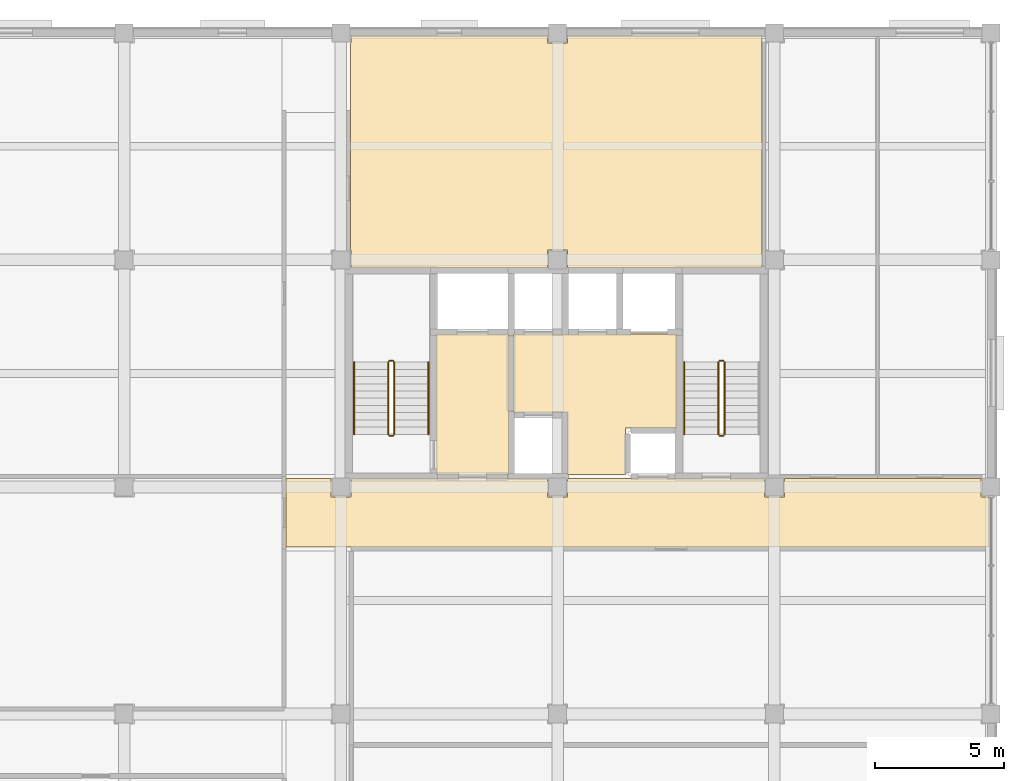
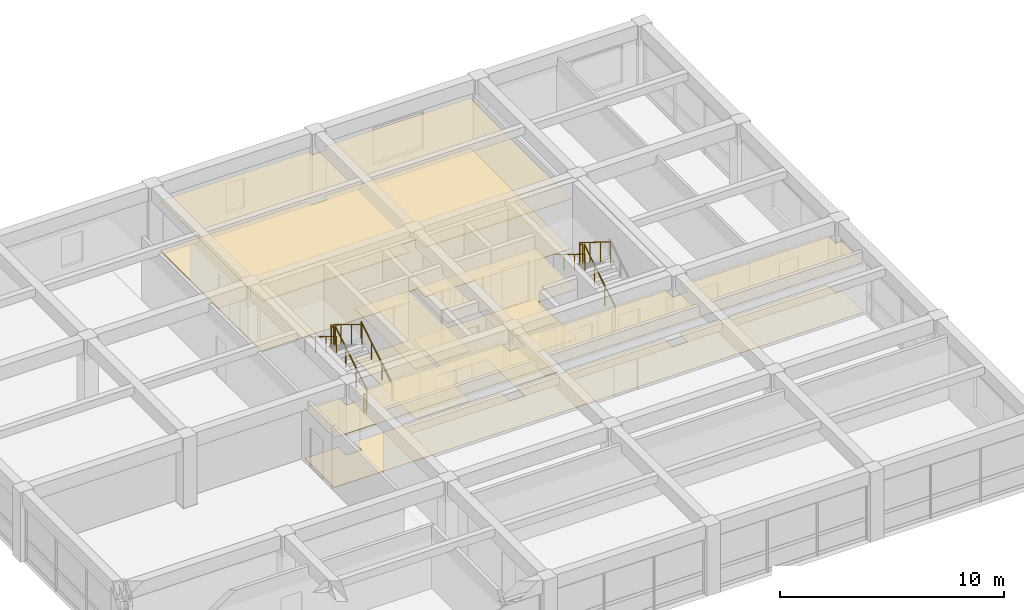
# One storey, part 12 of 13: 11 railings, 8 coverings.
"""IFC4 building model written with IfcOpenShell, lengths in metres."""

from ifc_helpers import new_model, si_unit, direction, frame, origin, origin_2d, place, context, subcontext, project, spatial, polyline, circle, outline, extrude, material, layer, layer_set, type_object, element, save


model = new_model("IFC4")

# Units and contexts
model_context = context("Model", 3, precision=1e-05, world=origin(), true_north=direction((0.0, 1.0)))
body_context = subcontext(model_context, "Body", "Model", "MODEL_VIEW")
ifc_project = project(units=[si_unit("LENGTHUNIT", "METRE"), si_unit("AREAUNIT", "SQUARE_METRE"), si_unit("VOLUMEUNIT", "CUBIC_METRE"), si_unit("PLANEANGLEUNIT", "RADIAN"), si_unit("MASSUNIT", "GRAM", prefix="KILO")], contexts=[model_context])

# Site, building, storey
site_placement = place(None, origin())
site = spatial("IfcSite", under=ifc_project, at=site_placement, CompositionType="ELEMENT")
building_placement = place(site_placement, origin())
building = spatial("IfcBuilding", under=site, at=building_placement, Name="Kemercrest Conservatory and Botanical Centre", CompositionType="ELEMENT")
storey_placement = place(building_placement, frame((0.0, 0.0, 36.800048828125)))
storey = spatial("IfcBuildingStorey", under=building, at=storey_placement, Name="L09", CompositionType="ELEMENT", Elevation=36.800048828125)

# Coverings
ifc_material_1 = material(Name="Perforated acoustic gypsum and mineral-fibre suspended ceiling", Category="gypsum")
ifc_layer_1 = layer(ifc_material_1, 0.034912109375)
ifc_layer_set_1 = layer_set([ifc_layer_1], Name="Perforated acoustic gypsum and mineral-fibre suspended ceiling")
covering_type_1 = type_object("IfcCoveringType", Name="CV-CLG035", PredefinedType="CEILING", material=ifc_layer_set_1)
covering_1_placement = place(storey_placement, frame((0.0, 0.0, 2.699951171875)))
element("IfcCovering", 1, at=covering_1_placement, inside=storey, type_object=covering_type_1, Name="Firefighting Lobby suspended acoustic ceiling", PredefinedType="CEILING", context=body_context, shape_type="SweptSolid", body=[
    extrude(outline(polyline([(154.47998046875, 105.280029296875), (157.320068359375, 105.280029296875), (157.320068359375, 110.719970703125), (154.47998046875, 110.719970703125), (154.47998046875, 105.280029296875)])), origin(), (0.0, 0.0, 1.0), 0.034912109375),
])
covering_2_placement = place(storey_placement, frame((0.0, 0.0, 2.699951171875)))
element("IfcCovering", 2, at=covering_2_placement, inside=storey, type_object=covering_type_1, Name="Tower Lift Lobby suspended acoustic ceiling", PredefinedType="CEILING", context=body_context, shape_type="SweptSolid", body=[
    extrude(outline(polyline([(159.580078125, 107.679931640625), (159.580078125, 105.280029296875), (161.820068359375, 105.280029296875), (161.820068359375, 107.080078125), (163.820068359375, 107.080078125), (163.820068359375, 110.719970703125), (157.47998046875, 110.719970703125), (157.47998046875, 107.679931640625), (159.580078125, 107.679931640625)])), origin(), (0.0, 0.0, 1.0), 0.034912109375),
])
covering_3_placement = place(storey_placement, frame((0.0, 0.0, 2.699951171875)))
element("IfcCovering", 3, at=covering_3_placement, inside=storey, type_object=covering_type_1, Name="Atrium Research Corridor suspended acoustic ceiling", PredefinedType="CEILING", context=body_context, shape_type="SweptSolid", body=[
    extrude(outline(polyline([(148.679931640625, 102.47998046875), (175.919921875, 102.47998046875), (175.919921875, 104.409912109375), (175.610107421875, 104.409912109375), (175.610107421875, 105.1201171875), (167.989990234375, 105.1201171875), (167.989990234375, 104.409912109375), (167.2099609375, 104.409912109375), (167.2099609375, 105.1201171875), (159.590087890625, 105.1201171875), (159.590087890625, 104.409912109375), (158.81005859375, 104.409912109375), (158.81005859375, 105.1201171875), (151.18994140625, 105.1201171875), (151.18994140625, 104.409912109375), (150.409912109375, 104.409912109375), (150.409912109375, 105.1201171875), (148.679931640625, 105.1201171875), (148.679931640625, 102.47998046875)])), origin(), (0.0, 0.0, 1.0), 0.034912109375),
])
covering_4_placement = place(storey_placement, frame((0.0, 0.0, 2.699951171875)))
element("IfcCovering", 4, at=covering_4_placement, inside=storey, type_object=covering_type_1, Name="Genomics Faculty Office suspended acoustic ceiling", PredefinedType="CEILING", context=body_context, shape_type="SweptSolid", body=[
    extrude(outline(polyline([(159.590087890625, 113.280029296875), (167.1201171875, 113.280029296875), (167.1201171875, 122.320068359375), (159.590087890625, 122.320068359375), (159.590087890625, 122.010009765625), (158.81005859375, 122.010009765625), (158.81005859375, 122.320068359375), (151.18994140625, 122.320068359375), (151.18994140625, 122.010009765625), (151.179931640625, 122.010009765625), (151.179931640625, 113.989990234375), (151.18994140625, 113.989990234375), (151.18994140625, 113.280029296875), (158.81005859375, 113.280029296875), (158.81005859375, 113.989990234375), (159.590087890625, 113.989990234375), (159.590087890625, 113.280029296875)])), origin(), (0.0, 0.0, 1.0), 0.034912109375),
])
ifc_material_2 = material(Name="Polished limestone terrazzo and seamless laboratory epoxy flooring", Category="masonry")
ifc_layer_2 = layer(ifc_material_2, 0.02001953125)
ifc_layer_set_2 = layer_set([ifc_layer_2], Name="Polished limestone terrazzo and seamless laboratory epoxy flooring")
covering_type_2 = type_object("IfcCoveringType", Name="CV-FLR020", PredefinedType="FLOORING", material=ifc_layer_set_2)
covering_5_placement = place(storey_placement, origin())
element("IfcCovering", 5, at=covering_5_placement, inside=storey, type_object=covering_type_2, Name="Firefighting Lobby floor finish", PredefinedType="FLOORING", context=body_context, shape_type="SweptSolid", body=[
    extrude(outline(polyline([(154.47998046875, 105.280029296875), (157.320068359375, 105.280029296875), (157.320068359375, 110.719970703125), (154.47998046875, 110.719970703125), (154.47998046875, 105.280029296875)])), origin(), (0.0, 0.0, 1.0), 0.02001953125),
])
covering_6_placement = place(storey_placement, origin())
element("IfcCovering", 6, at=covering_6_placement, inside=storey, type_object=covering_type_2, Name="Tower Lift Lobby floor finish", PredefinedType="FLOORING", context=body_context, shape_type="SweptSolid", body=[
    extrude(outline(polyline([(159.580078125, 107.679931640625), (159.580078125, 105.280029296875), (161.820068359375, 105.280029296875), (161.820068359375, 107.080078125), (163.820068359375, 107.080078125), (163.820068359375, 110.719970703125), (157.47998046875, 110.719970703125), (157.47998046875, 107.679931640625), (159.580078125, 107.679931640625)])), origin(), (0.0, 0.0, 1.0), 0.02001953125),
])
covering_7_placement = place(storey_placement, origin())
element("IfcCovering", 7, at=covering_7_placement, inside=storey, type_object=covering_type_2, Name="Atrium Research Corridor floor finish", PredefinedType="FLOORING", context=body_context, shape_type="SweptSolid", body=[
    extrude(outline(polyline([(148.679931640625, 102.47998046875), (175.919921875, 102.47998046875), (175.919921875, 104.409912109375), (175.610107421875, 104.409912109375), (175.610107421875, 105.1201171875), (167.989990234375, 105.1201171875), (167.989990234375, 104.409912109375), (167.2099609375, 104.409912109375), (167.2099609375, 105.1201171875), (159.590087890625, 105.1201171875), (159.590087890625, 104.409912109375), (158.81005859375, 104.409912109375), (158.81005859375, 105.1201171875), (151.18994140625, 105.1201171875), (151.18994140625, 104.409912109375), (150.409912109375, 104.409912109375), (150.409912109375, 105.1201171875), (148.679931640625, 105.1201171875), (148.679931640625, 102.47998046875)])), origin(), (0.0, 0.0, 1.0), 0.02001953125),
])
covering_8_placement = place(storey_placement, origin())
element("IfcCovering", 8, at=covering_8_placement, inside=storey, type_object=covering_type_2, Name="Genomics Faculty Office floor finish", PredefinedType="FLOORING", context=body_context, shape_type="SweptSolid", body=[
    extrude(outline(polyline([(159.590087890625, 113.280029296875), (167.1201171875, 113.280029296875), (167.1201171875, 122.320068359375), (159.590087890625, 122.320068359375), (159.590087890625, 122.010009765625), (158.81005859375, 122.010009765625), (158.81005859375, 122.320068359375), (151.18994140625, 122.320068359375), (151.18994140625, 122.010009765625), (151.179931640625, 122.010009765625), (151.179931640625, 113.989990234375), (151.18994140625, 113.989990234375), (151.18994140625, 113.280029296875), (158.81005859375, 113.280029296875), (158.81005859375, 113.989990234375), (159.590087890625, 113.989990234375), (159.590087890625, 113.280029296875)])), origin(), (0.0, 0.0, 1.0), 0.02001953125),
])

# Railings
ifc_material_3 = material(Name="Painted galvanized steel tubular stair guardrail", Category="steel")
railing_type_1 = type_object("IfcRailingType", Name="GR-STR110", PredefinedType="GUARDRAIL", material=ifc_material_3)
railing_1_placement = place(storey_placement, frame((152.8701171875, 106.840087890625, 0.172607421875)))
element("IfcRailing", 9, at=railing_1_placement, inside=storey, type_object=railing_type_1, Name="L09 ST-V4A stair guard 1", PredefinedType="GUARDRAIL", context=body_context, shape_type="SweptSolid", body=[
    extrude(circle(Radius=0.02392578125, at=origin_2d()), frame((0.0, 0.0, 1.076171875), z_axis=(0.0, 0.851069175582, 0.525053576669), x_axis=(-1.0, 0.0, 0.0)), (0.0, 0.0, 1.0), 3.289794921875),
    extrude(circle(Radius=0.02099609375, at=origin_2d()), origin(), (0.0, 0.0, 1.0), 1.052001953125),
    extrude(circle(Radius=0.02099609375, at=origin_2d()), frame((0.0, 0.933349609375, 0.57568359375)), (0.0, 0.0, 1.0), 1.052001953125),
    extrude(circle(Radius=0.02099609375, at=origin_2d()), frame((0.0, 1.866455078125, 1.151611328125)), (0.0, 0.0, 1.0), 1.052001953125),
    extrude(circle(Radius=0.02099609375, at=origin_2d()), frame((0.0, 2.7998046875, 1.727294921875)), (0.0, 0.0, 1.0), 1.052001953125),
])
railing_2_placement = place(storey_placement, frame((152.820068359375, 109.68994140625, 1.89990234375)))
element("IfcRailing", 10, at=railing_2_placement, inside=storey, type_object=railing_type_1, Name="L09 ST-V4A stair guard 2", PredefinedType="GUARDRAIL", context=body_context, shape_type="SweptSolid", body=[
    extrude(circle(Radius=0.02392578125, at=origin_2d()), frame((0.0, 0.0, 1.076171875), z_axis=(-1.0, 0.0, 0.0), x_axis=(0.0, -1.0, 0.0)), (0.0, 0.0, 1.0), 0.14013671875),
    extrude(circle(Radius=0.02099609375, at=origin_2d()), origin(), (0.0, 0.0, 1.0), 1.052001953125),
    extrude(circle(Radius=0.02099609375, at=origin_2d()), frame((-0.14013671875, 0.0, 0.0)), (0.0, 0.0, 1.0), 1.052001953125),
])
railing_3_placement = place(storey_placement, frame((152.6298828125, 109.639892578125, 2.07275390625)))
element("IfcRailing", 11, at=railing_3_placement, inside=storey, type_object=railing_type_1, Name="L09 ST-V4A stair guard 3", PredefinedType="GUARDRAIL", context=body_context, shape_type="SweptSolid", body=[
    extrude(circle(Radius=0.02392578125, at=origin_2d()), frame((0.0, 0.0, 1.076171875), z_axis=(0.0, -0.851069175582, 0.525053576669), x_axis=(1.0, 0.0, 0.0)), (0.0, 0.0, 1.0), 3.289794921875),
    extrude(circle(Radius=0.02099609375, at=origin_2d()), origin(), (0.0, 0.0, 1.0), 1.052001953125),
    extrude(circle(Radius=0.02099609375, at=origin_2d()), frame((0.0, -0.933349609375, 0.57568359375)), (0.0, 0.0, 1.0), 1.052001953125),
    extrude(circle(Radius=0.02099609375, at=origin_2d()), frame((0.0, -1.866455078125, 1.151611328125)), (0.0, 0.0, 1.0), 1.052001953125),
    extrude(circle(Radius=0.02099609375, at=origin_2d()), frame((0.0, -2.7998046875, 1.727294921875)), (0.0, 0.0, 1.0), 1.052001953125),
])
railing_4_placement = place(storey_placement, frame((152.820068359375, 106.7900390625, 0.0)))
element("IfcRailing", 12, at=railing_4_placement, inside=storey, type_object=railing_type_1, Name="L09 ST-V4A stair guard 4", PredefinedType="GUARDRAIL", context=body_context, shape_type="SweptSolid", body=[
    extrude(circle(Radius=0.02392578125, at=origin_2d()), frame((0.0, 0.0, 1.076171875), z_axis=(-1.0, 0.0, 0.0), x_axis=(0.0, -1.0, 0.0)), (0.0, 0.0, 1.0), 0.14013671875),
    extrude(circle(Radius=0.02099609375, at=origin_2d()), origin(), (0.0, 0.0, 1.0), 1.052001953125),
    extrude(circle(Radius=0.02099609375, at=origin_2d()), frame((-0.14013671875, 0.0, 0.0)), (0.0, 0.0, 1.0), 1.052001953125),
])
railing_5_placement = place(storey_placement, frame((165.669921875, 106.840087890625, 0.172607421875)))
element("IfcRailing", 13, at=railing_5_placement, inside=storey, type_object=railing_type_1, Name="L09 ST-V4B stair guard 1", PredefinedType="GUARDRAIL", context=body_context, shape_type="SweptSolid", body=[
    extrude(circle(Radius=0.02392578125, at=origin_2d()), frame((0.0, 0.0, 1.076171875), z_axis=(0.0, 0.851069175582, 0.525053576669), x_axis=(-1.0, 0.0, 0.0)), (0.0, 0.0, 1.0), 3.289794921875),
    extrude(circle(Radius=0.02099609375, at=origin_2d()), origin(), (0.0, 0.0, 1.0), 1.052001953125),
    extrude(circle(Radius=0.02099609375, at=origin_2d()), frame((0.0, 0.933349609375, 0.57568359375)), (0.0, 0.0, 1.0), 1.052001953125),
    extrude(circle(Radius=0.02099609375, at=origin_2d()), frame((0.0, 1.866455078125, 1.151611328125)), (0.0, 0.0, 1.0), 1.052001953125),
    extrude(circle(Radius=0.02099609375, at=origin_2d()), frame((0.0, 2.7998046875, 1.727294921875)), (0.0, 0.0, 1.0), 1.052001953125),
])
railing_6_placement = place(storey_placement, frame((165.6201171875, 109.68994140625, 1.89990234375)))
element("IfcRailing", 14, at=railing_6_placement, inside=storey, type_object=railing_type_1, Name="L09 ST-V4B stair guard 2", PredefinedType="GUARDRAIL", context=body_context, shape_type="SweptSolid", body=[
    extrude(circle(Radius=0.02392578125, at=origin_2d()), frame((0.0, 0.0, 1.076171875), z_axis=(-1.0, 0.0, 0.0), x_axis=(0.0, -1.0, 0.0)), (0.0, 0.0, 1.0), 0.14013671875),
    extrude(circle(Radius=0.02099609375, at=origin_2d()), origin(), (0.0, 0.0, 1.0), 1.052001953125),
    extrude(circle(Radius=0.02099609375, at=origin_2d()), frame((-0.14013671875, 0.0, 0.0)), (0.0, 0.0, 1.0), 1.052001953125),
])
railing_7_placement = place(storey_placement, frame((165.429931640625, 109.639892578125, 2.07275390625)))
element("IfcRailing", 15, at=railing_7_placement, inside=storey, type_object=railing_type_1, Name="L09 ST-V4B stair guard 3", PredefinedType="GUARDRAIL", context=body_context, shape_type="SweptSolid", body=[
    extrude(circle(Radius=0.02392578125, at=origin_2d()), frame((0.0, 0.0, 1.076171875), z_axis=(0.0, -0.851069175582, 0.525053576669), x_axis=(1.0, 0.0, 0.0)), (0.0, 0.0, 1.0), 3.289794921875),
    extrude(circle(Radius=0.02099609375, at=origin_2d()), origin(), (0.0, 0.0, 1.0), 1.052001953125),
    extrude(circle(Radius=0.02099609375, at=origin_2d()), frame((0.0, -0.933349609375, 0.57568359375)), (0.0, 0.0, 1.0), 1.052001953125),
    extrude(circle(Radius=0.02099609375, at=origin_2d()), frame((0.0, -1.866455078125, 1.151611328125)), (0.0, 0.0, 1.0), 1.052001953125),
    extrude(circle(Radius=0.02099609375, at=origin_2d()), frame((0.0, -2.7998046875, 1.727294921875)), (0.0, 0.0, 1.0), 1.052001953125),
])
railing_8_placement = place(storey_placement, frame((165.6201171875, 106.7900390625, 0.0)))
element("IfcRailing", 16, at=railing_8_placement, inside=storey, type_object=railing_type_1, Name="L09 ST-V4B stair guard 4", PredefinedType="GUARDRAIL", context=body_context, shape_type="SweptSolid", body=[
    extrude(circle(Radius=0.02392578125, at=origin_2d()), frame((0.0, 0.0, 1.076171875), z_axis=(-1.0, 0.0, 0.0), x_axis=(0.0, -1.0, 0.0)), (0.0, 0.0, 1.0), 0.14013671875),
    extrude(circle(Radius=0.02099609375, at=origin_2d()), origin(), (0.0, 0.0, 1.0), 1.052001953125),
    extrude(circle(Radius=0.02099609375, at=origin_2d()), frame((-0.14013671875, 0.0, 0.0)), (0.0, 0.0, 1.0), 1.052001953125),
])
ifc_material_4 = material(Name="Brushed stainless steel wall-mounted handrail", Category="steel")
railing_type_2 = type_object("IfcRailingType", Name="HR-STR090", PredefinedType="HANDRAIL", material=ifc_material_4)
railing_9_placement = place(storey_placement, frame((154.18994140625, 106.840087890625, 0.172607421875)))
element("IfcRailing", 17, at=railing_9_placement, inside=storey, type_object=railing_type_2, Name="L09 ST-V4A stair handrail 1", PredefinedType="HANDRAIL", context=body_context, shape_type="SweptSolid", body=[
    extrude(circle(Radius=0.02392578125, at=origin_2d()), frame((0.0, 0.0, 0.8759765625), z_axis=(0.0, 0.851069175582, 0.525053576669), x_axis=(-1.0, 0.0, 0.0)), (0.0, 0.0, 1.0), 3.289794921875),
    extrude(circle(Radius=0.02099609375, at=origin_2d()), origin(), (0.0, 0.0, 1.0), 0.851806640625),
    extrude(circle(Radius=0.02099609375, at=origin_2d()), frame((0.0, 0.933349609375, 0.57568359375)), (0.0, 0.0, 1.0), 0.851806640625),
    extrude(circle(Radius=0.02099609375, at=origin_2d()), frame((0.0, 1.866455078125, 1.151611328125)), (0.0, 0.0, 1.0), 0.851806640625),
    extrude(circle(Radius=0.02099609375, at=origin_2d()), frame((0.0, 2.7998046875, 1.727294921875)), (0.0, 0.0, 1.0), 0.851806640625),
])
for number, where, name in (
    (18, (151.31005859375, 109.639892578125, 2.07275390625), "L09 ST-V4A stair handrail 2"),
    (19, (164.110107421875, 109.639892578125, 2.07275390625), "L09 ST-V4B stair handrail 2"),
):
    element("IfcRailing", number, at=place(storey_placement, frame(where)), inside=storey, type_object=railing_type_2, Name=name, PredefinedType="HANDRAIL", context=body_context, shape_type="SweptSolid", body=[
        extrude(circle(Radius=0.02392578125, at=origin_2d()), frame((0.0, 0.0, 0.8759765625), z_axis=(0.0, -0.851069175582, 0.525053576669), x_axis=(1.0, 0.0, 0.0)), (0.0, 0.0, 1.0), 3.289794921875),
        extrude(circle(Radius=0.02099609375, at=origin_2d()), origin(), (0.0, 0.0, 1.0), 0.851806640625),
        extrude(circle(Radius=0.02099609375, at=origin_2d()), frame((0.0, -0.933349609375, 0.57568359375)), (0.0, 0.0, 1.0), 0.851806640625),
        extrude(circle(Radius=0.02099609375, at=origin_2d()), frame((0.0, -1.866455078125, 1.151611328125)), (0.0, 0.0, 1.0), 0.851806640625),
        extrude(circle(Radius=0.02099609375, at=origin_2d()), frame((0.0, -2.7998046875, 1.727294921875)), (0.0, 0.0, 1.0), 0.851806640625),
    ])

save(model, "model.ifc")
